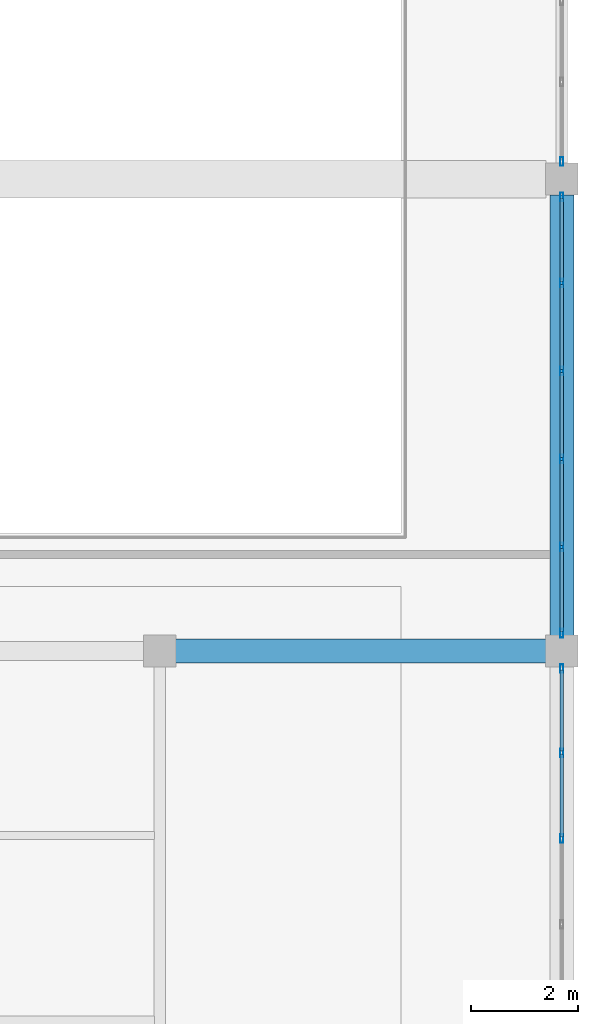
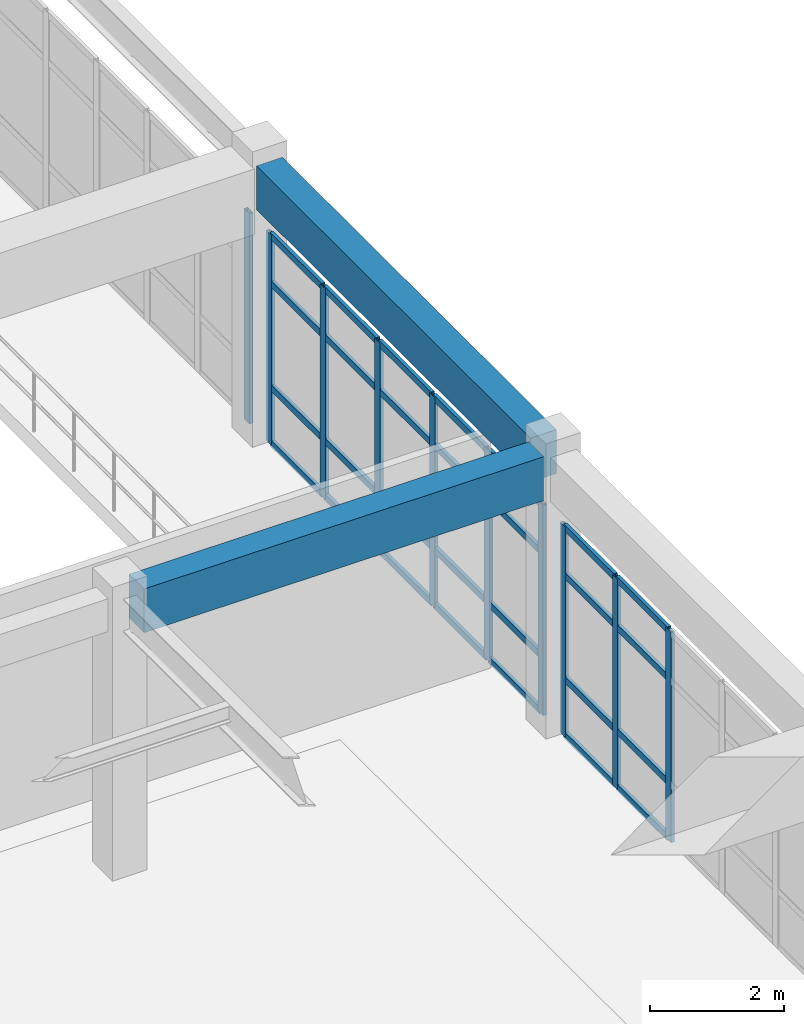
# One storey, part 14 of 38: 38 members, 2 beams, 3 elements without a shape of their own.
"""IFC4 building model written with IfcOpenShell, lengths in metres."""

from ifc_helpers import new_model, si_unit, direction, frame, origin, origin_2d, place, context, subcontext, project, spatial, rectangle, hollow_rectangle, extrude, material, layer, layer_set, material_profile, profile_set, type_object, element, aggregate, save


model = new_model("IFC4")

# Units and contexts
model_context = context("Model", 3, precision=1e-05, world=origin(), true_north=direction((0.0, 1.0)))
body_context = subcontext(model_context, "Body", "Model", "MODEL_VIEW")
ifc_project = project(units=[si_unit("LENGTHUNIT", "METRE"), si_unit("AREAUNIT", "SQUARE_METRE"), si_unit("VOLUMEUNIT", "CUBIC_METRE"), si_unit("PLANEANGLEUNIT", "RADIAN"), si_unit("MASSUNIT", "GRAM", prefix="KILO")], contexts=[model_context])

# Site, building, storey
site_placement = place(None, origin())
site = spatial("IfcSite", under=ifc_project, at=site_placement, CompositionType="ELEMENT")
building_placement = place(site_placement, origin())
building = spatial("IfcBuilding", under=site, at=building_placement, Name="Muzn Square Opera House", CompositionType="ELEMENT")
storey_placement = place(building_placement, frame((0.0, 0.0, 18.0)))
storey = spatial("IfcBuildingStorey", under=building, at=storey_placement, Name="L04", CompositionType="ELEMENT", Elevation=18.0)

# Curtain wall, members
ifc_material_1 = material(Name="Low-E laminated acoustic double glazing", Category="glass")
ifc_layer_1 = layer(ifc_material_1, 0.159912109375, Name="Low-E laminated acoustic double glazing", Category="glass")
ifc_layer_set_1 = layer_set([ifc_layer_1], Name="Low-E laminated acoustic double glazing")
curtain_wall_type_1 = type_object("IfcCurtainWallType", Name="Glazed Curtain Wall RehearsalEast 8000x3850", PredefinedType="USERDEFINED", material=ifc_layer_set_1)
curtain_wall_1_placement = place(storey_placement, origin())
curtain_wall_1 = element("IfcCurtainWall", 1, at=curtain_wall_1_placement, inside=storey, type_object=curtain_wall_type_1, Name="Glazed Curtain Wall CW-L04-131", ObjectType="GLAZED CURTAIN WALL", PredefinedType="USERDEFINED")
ifc_material_2 = material(Name="Anodised bronze aluminium 6063-T6", Category="metal")
ifc_material_profile_1 = material_profile(ifc_material_2, hollow_rectangle(XDim=0.06005859375, YDim=0.159912109375, WallThickness=0.00390625, at=origin_2d()), Name="ALU 160x60x4", Category="metal")
ifc_profile_set_1 = profile_set([ifc_material_profile_1], Name="Anodised bronze aluminium 6063-T6")
member_type_1 = type_object("IfcMemberType", Name="Curtain Wall Mullion 160x60", PredefinedType="MULLION", material=ifc_profile_set_1)
member_1_placement = place(storey_placement, frame((170.0, 86.300048828125, 0.0), z_axis=(0.0, 0.0, 1.0), x_axis=(-1.0, 0.0, 0.0)))
member_1 = element("IfcMember", 2, at=member_1_placement, type_object=member_type_1, Name="CW-RHE-80x38 mullion 4", PredefinedType="MULLION", context=body_context, shape_type="SweptSolid", body=[
    extrude(hollow_rectangle(XDim=0.06005859375, YDim=0.159912109375, WallThickness=0.00390625, at=origin_2d()), origin(), (0.0, 0.0, 1.0), 3.85009765625),
])
member_2_placement = place(storey_placement, frame((170.0, 87.89990234375, 0.0), z_axis=(0.0, 0.0, 1.0), x_axis=(-1.0, 0.0, 0.0)))
member_2 = element("IfcMember", 3, at=member_2_placement, type_object=member_type_1, Name="CW-RHE-80x38 mullion 5", PredefinedType="MULLION", context=body_context, shape_type="SweptSolid", body=[
    extrude(hollow_rectangle(XDim=0.06005859375, YDim=0.159912109375, WallThickness=0.00390625, at=origin_2d()), origin(), (0.0, 0.0, 1.0), 3.85009765625),
])
member_3_placement = place(storey_placement, frame((170.0, 89.469970703125, 0.0), z_axis=(0.0, 0.0, 1.0), x_axis=(-1.0, 0.0, 0.0)))
member_3 = element("IfcMember", 4, at=member_3_placement, type_object=member_type_1, Name="CW-RHE-80x38 mullion 6", PredefinedType="MULLION", context=body_context, shape_type="SweptSolid", body=[
    extrude(hollow_rectangle(XDim=0.06005859375, YDim=0.159912109375, WallThickness=0.00390625, at=origin_2d()), origin(), (0.0, 0.0, 1.0), 3.85009765625),
])

ifc_layer_2 = layer(ifc_material_1, 0.159912109375, Name="Low-E laminated acoustic double glazing", Category="glass")
ifc_layer_set_2 = layer_set([ifc_layer_2], Name="Low-E laminated acoustic double glazing")
curtain_wall_type_2 = type_object("IfcCurtainWallType", Name="Glazed Curtain Wall RehearsalEast 8200x3850", PredefinedType="USERDEFINED", material=ifc_layer_set_2)
curtain_wall_2_placement = place(storey_placement, origin())
curtain_wall_2 = element("IfcCurtainWall", 5, at=curtain_wall_2_placement, inside=storey, type_object=curtain_wall_type_2, Name="Glazed Curtain Wall CW-L04-132", ObjectType="GLAZED CURTAIN WALL", PredefinedType="USERDEFINED")
member_4_placement = place(storey_placement, frame((170.0, 90.1298828125, 0.0), z_axis=(0.0, 0.0, 1.0), x_axis=(-1.0, 0.0, 0.0)))
member_4 = element("IfcMember", 6, at=member_4_placement, type_object=member_type_1, Name="CW-RHE-82x38 mullion 1", PredefinedType="MULLION", context=body_context, shape_type="SweptSolid", body=[
    extrude(hollow_rectangle(XDim=0.06005859375, YDim=0.159912109375, WallThickness=0.00390625, at=origin_2d()), origin(), (0.0, 0.0, 1.0), 3.85009765625),
])
member_5_placement = place(storey_placement, frame((170.0, 91.739990234375, 0.0), z_axis=(0.0, 0.0, 1.0), x_axis=(-1.0, 0.0, 0.0)))
member_5 = element("IfcMember", 7, at=member_5_placement, type_object=member_type_1, Name="CW-RHE-82x38 mullion 2", PredefinedType="MULLION", context=body_context, shape_type="SweptSolid", body=[
    extrude(hollow_rectangle(XDim=0.06005859375, YDim=0.159912109375, WallThickness=0.00390625, at=origin_2d()), origin(), (0.0, 0.0, 1.0), 3.85009765625),
])
member_6_placement = place(storey_placement, frame((170.0, 93.3798828125, 0.0), z_axis=(0.0, 0.0, 1.0), x_axis=(-1.0, 0.0, 0.0)))
member_6 = element("IfcMember", 8, at=member_6_placement, type_object=member_type_1, Name="CW-RHE-82x38 mullion 3", PredefinedType="MULLION", context=body_context, shape_type="SweptSolid", body=[
    extrude(hollow_rectangle(XDim=0.06005859375, YDim=0.159912109375, WallThickness=0.00390625, at=origin_2d()), origin(), (0.0, 0.0, 1.0), 3.85009765625),
])
member_7_placement = place(storey_placement, frame((170.0, 95.02001953125, 0.0), z_axis=(0.0, 0.0, 1.0), x_axis=(-1.0, 0.0, 0.0)))
member_7 = element("IfcMember", 9, at=member_7_placement, type_object=member_type_1, Name="CW-RHE-82x38 mullion 4", PredefinedType="MULLION", context=body_context, shape_type="SweptSolid", body=[
    extrude(hollow_rectangle(XDim=0.06005859375, YDim=0.159912109375, WallThickness=0.00390625, at=origin_2d()), origin(), (0.0, 0.0, 1.0), 3.85009765625),
])
member_8_placement = place(storey_placement, frame((170.0, 96.659912109375, 0.0), z_axis=(0.0, 0.0, 1.0), x_axis=(-1.0, 0.0, 0.0)))
member_8 = element("IfcMember", 10, at=member_8_placement, type_object=member_type_1, Name="CW-RHE-82x38 mullion 5", PredefinedType="MULLION", context=body_context, shape_type="SweptSolid", body=[
    extrude(hollow_rectangle(XDim=0.06005859375, YDim=0.159912109375, WallThickness=0.00390625, at=origin_2d()), origin(), (0.0, 0.0, 1.0), 3.85009765625),
])
member_9_placement = place(storey_placement, frame((170.0, 98.27001953125, 0.0), z_axis=(0.0, 0.0, 1.0), x_axis=(-1.0, 0.0, 0.0)))
member_9 = element("IfcMember", 11, at=member_9_placement, type_object=member_type_1, Name="CW-RHE-82x38 mullion 6", PredefinedType="MULLION", context=body_context, shape_type="SweptSolid", body=[
    extrude(hollow_rectangle(XDim=0.06005859375, YDim=0.159912109375, WallThickness=0.00390625, at=origin_2d()), origin(), (0.0, 0.0, 1.0), 3.85009765625),
])

# Curtain wall, member
ifc_layer_3 = layer(ifc_material_1, 0.159912109375, Name="Low-E laminated acoustic double glazing", Category="glass")
ifc_layer_set_3 = layer_set([ifc_layer_3], Name="Low-E laminated acoustic double glazing")
curtain_wall_type_3 = type_object("IfcCurtainWallType", Name="Glazed Curtain Wall RehearsalEast 12100x3850", PredefinedType="USERDEFINED", material=ifc_layer_set_3)
curtain_wall_3_placement = place(storey_placement, origin())
curtain_wall_3 = element("IfcCurtainWall", 12, at=curtain_wall_3_placement, inside=storey, type_object=curtain_wall_type_3, Name="Glazed Curtain Wall CW-L04-133", ObjectType="GLAZED CURTAIN WALL", PredefinedType="USERDEFINED")
member_10_placement = place(storey_placement, frame((170.0, 98.929931640625, 0.0), z_axis=(0.0, 0.0, 1.0), x_axis=(-1.0, 0.0, 0.0)))
member_10 = element("IfcMember", 13, at=member_10_placement, type_object=member_type_1, Name="CW-RHE-121x38 mullion 1", PredefinedType="MULLION", context=body_context, shape_type="SweptSolid", body=[
    extrude(hollow_rectangle(XDim=0.06005859375, YDim=0.159912109375, WallThickness=0.00390625, at=origin_2d()), origin(), (0.0, 0.0, 1.0), 3.85009765625),
])
aggregate(curtain_wall_3, [member_10])

# Member
ifc_material_profile_2 = material_profile(ifc_material_2, hollow_rectangle(XDim=0.06005859375, YDim=0.1201171875, WallThickness=0.00390625, at=origin_2d()), Name="ALU 120x60x4", Category="metal")
ifc_profile_set_2 = profile_set([ifc_material_profile_2], Name="Anodised bronze aluminium 6063-T6")
member_type_2 = type_object("IfcMemberType", Name="Curtain Wall Transom 120x60", PredefinedType="USERDEFINED", material=ifc_profile_set_2)
member_11_placement = place(storey_placement, frame((170.0, 86.330078125, 0.030029296875), z_axis=(0.0, 1.0, 0.0), x_axis=(-1.0, 0.0, 0.0)))
member_11 = element("IfcMember", 14, at=member_11_placement, type_object=member_type_2, Name="CW-RHE-80x38 transom 4.1", ObjectType="TRANSOM", PredefinedType="USERDEFINED", context=body_context, shape_type="SweptSolid", body=[
    extrude(hollow_rectangle(XDim=0.06005859375, YDim=0.1201171875, WallThickness=0.00390625, at=origin_2d()), origin(), (0.0, 0.0, 1.0), 1.5400390625),
])

member_12_placement = place(storey_placement, frame((170.0, 86.330078125, 1.050048828125), z_axis=(0.0, 1.0, 0.0), x_axis=(-1.0, 0.0, 0.0)))
member_12 = element("IfcMember", 15, at=member_12_placement, type_object=member_type_2, Name="CW-RHE-80x38 transom 4.2", ObjectType="TRANSOM", PredefinedType="USERDEFINED", context=body_context, shape_type="SweptSolid", body=[
    extrude(hollow_rectangle(XDim=0.06005859375, YDim=0.1201171875, WallThickness=0.00390625, at=origin_2d()), origin(), (0.0, 0.0, 1.0), 1.5400390625),
])

member_13_placement = place(storey_placement, frame((170.0, 86.330078125, 2.949951171875), z_axis=(0.0, 1.0, 0.0), x_axis=(-1.0, 0.0, 0.0)))
member_13 = element("IfcMember", 16, at=member_13_placement, type_object=member_type_2, Name="CW-RHE-80x38 transom 4.3", ObjectType="TRANSOM", PredefinedType="USERDEFINED", context=body_context, shape_type="SweptSolid", body=[
    extrude(hollow_rectangle(XDim=0.06005859375, YDim=0.1201171875, WallThickness=0.00390625, at=origin_2d()), origin(), (0.0, 0.0, 1.0), 1.5400390625),
])

member_14_placement = place(storey_placement, frame((170.0, 86.330078125, 3.820068359375), z_axis=(0.0, 1.0, 0.0), x_axis=(-1.0, 0.0, 0.0)))
member_14 = element("IfcMember", 17, at=member_14_placement, type_object=member_type_2, Name="CW-RHE-80x38 transom 4.4", ObjectType="TRANSOM", PredefinedType="USERDEFINED", context=body_context, shape_type="SweptSolid", body=[
    extrude(hollow_rectangle(XDim=0.06005859375, YDim=0.1201171875, WallThickness=0.00390625, at=origin_2d()), origin(), (0.0, 0.0, 1.0), 1.5400390625),
])

member_15_placement = place(storey_placement, frame((170.0, 87.929931640625, 0.030029296875), z_axis=(0.0, 1.0, 0.0), x_axis=(-1.0, 0.0, 0.0)))
member_15 = element("IfcMember", 18, at=member_15_placement, type_object=member_type_2, Name="CW-RHE-80x38 transom 5.1", ObjectType="TRANSOM", PredefinedType="USERDEFINED", context=body_context, shape_type="SweptSolid", body=[
    extrude(hollow_rectangle(XDim=0.06005859375, YDim=0.1201171875, WallThickness=0.00390625, at=origin_2d()), origin(), (0.0, 0.0, 1.0), 1.510009765625),
])

member_16_placement = place(storey_placement, frame((170.0, 87.929931640625, 1.050048828125), z_axis=(0.0, 1.0, 0.0), x_axis=(-1.0, 0.0, 0.0)))
member_16 = element("IfcMember", 19, at=member_16_placement, type_object=member_type_2, Name="CW-RHE-80x38 transom 5.2", ObjectType="TRANSOM", PredefinedType="USERDEFINED", context=body_context, shape_type="SweptSolid", body=[
    extrude(hollow_rectangle(XDim=0.06005859375, YDim=0.1201171875, WallThickness=0.00390625, at=origin_2d()), origin(), (0.0, 0.0, 1.0), 1.510009765625),
])

member_17_placement = place(storey_placement, frame((170.0, 87.929931640625, 2.949951171875), z_axis=(0.0, 1.0, 0.0), x_axis=(-1.0, 0.0, 0.0)))
member_17 = element("IfcMember", 20, at=member_17_placement, type_object=member_type_2, Name="CW-RHE-80x38 transom 5.3", ObjectType="TRANSOM", PredefinedType="USERDEFINED", context=body_context, shape_type="SweptSolid", body=[
    extrude(hollow_rectangle(XDim=0.06005859375, YDim=0.1201171875, WallThickness=0.00390625, at=origin_2d()), origin(), (0.0, 0.0, 1.0), 1.510009765625),
])

member_18_placement = place(storey_placement, frame((170.0, 87.929931640625, 3.820068359375), z_axis=(0.0, 1.0, 0.0), x_axis=(-1.0, 0.0, 0.0)))
member_18 = element("IfcMember", 21, at=member_18_placement, type_object=member_type_2, Name="CW-RHE-80x38 transom 5.4", ObjectType="TRANSOM", PredefinedType="USERDEFINED", context=body_context, shape_type="SweptSolid", body=[
    extrude(hollow_rectangle(XDim=0.06005859375, YDim=0.1201171875, WallThickness=0.00390625, at=origin_2d()), origin(), (0.0, 0.0, 1.0), 1.510009765625),
])

aggregate(curtain_wall_1, [member_1, member_2, member_3, member_11, member_12, member_13, member_14, member_15, member_16, member_17, member_18])

member_19_placement = place(storey_placement, frame((170.0, 90.159912109375, 0.030029296875), z_axis=(0.0, 1.0, 0.0), x_axis=(-1.0, 0.0, 0.0)))
member_19 = element("IfcMember", 22, at=member_19_placement, type_object=member_type_2, Name="CW-RHE-82x38 transom 1.1", ObjectType="TRANSOM", PredefinedType="USERDEFINED", context=body_context, shape_type="SweptSolid", body=[
    extrude(hollow_rectangle(XDim=0.06005859375, YDim=0.1201171875, WallThickness=0.00390625, at=origin_2d()), origin(), (0.0, 0.0, 1.0), 1.550048828125),
])

member_20_placement = place(storey_placement, frame((170.0, 90.159912109375, 1.050048828125), z_axis=(0.0, 1.0, 0.0), x_axis=(-1.0, 0.0, 0.0)))
member_20 = element("IfcMember", 23, at=member_20_placement, type_object=member_type_2, Name="CW-RHE-82x38 transom 1.2", ObjectType="TRANSOM", PredefinedType="USERDEFINED", context=body_context, shape_type="SweptSolid", body=[
    extrude(hollow_rectangle(XDim=0.06005859375, YDim=0.1201171875, WallThickness=0.00390625, at=origin_2d()), origin(), (0.0, 0.0, 1.0), 1.550048828125),
])

member_21_placement = place(storey_placement, frame((170.0, 90.159912109375, 2.949951171875), z_axis=(0.0, 1.0, 0.0), x_axis=(-1.0, 0.0, 0.0)))
member_21 = element("IfcMember", 24, at=member_21_placement, type_object=member_type_2, Name="CW-RHE-82x38 transom 1.3", ObjectType="TRANSOM", PredefinedType="USERDEFINED", context=body_context, shape_type="SweptSolid", body=[
    extrude(hollow_rectangle(XDim=0.06005859375, YDim=0.1201171875, WallThickness=0.00390625, at=origin_2d()), origin(), (0.0, 0.0, 1.0), 1.550048828125),
])

member_22_placement = place(storey_placement, frame((170.0, 90.159912109375, 3.820068359375), z_axis=(0.0, 1.0, 0.0), x_axis=(-1.0, 0.0, 0.0)))
member_22 = element("IfcMember", 25, at=member_22_placement, type_object=member_type_2, Name="CW-RHE-82x38 transom 1.4", ObjectType="TRANSOM", PredefinedType="USERDEFINED", context=body_context, shape_type="SweptSolid", body=[
    extrude(hollow_rectangle(XDim=0.06005859375, YDim=0.1201171875, WallThickness=0.00390625, at=origin_2d()), origin(), (0.0, 0.0, 1.0), 1.550048828125),
])

member_23_placement = place(storey_placement, frame((170.0, 91.77001953125, 0.030029296875), z_axis=(0.0, 1.0, 0.0), x_axis=(-1.0, 0.0, 0.0)))
member_23 = element("IfcMember", 26, at=member_23_placement, type_object=member_type_2, Name="CW-RHE-82x38 transom 2.1", ObjectType="TRANSOM", PredefinedType="USERDEFINED", context=body_context, shape_type="SweptSolid", body=[
    extrude(hollow_rectangle(XDim=0.06005859375, YDim=0.1201171875, WallThickness=0.00390625, at=origin_2d()), origin(), (0.0, 0.0, 1.0), 1.580078125),
])

member_24_placement = place(storey_placement, frame((170.0, 91.77001953125, 1.050048828125), z_axis=(0.0, 1.0, 0.0), x_axis=(-1.0, 0.0, 0.0)))
member_24 = element("IfcMember", 27, at=member_24_placement, type_object=member_type_2, Name="CW-RHE-82x38 transom 2.2", ObjectType="TRANSOM", PredefinedType="USERDEFINED", context=body_context, shape_type="SweptSolid", body=[
    extrude(hollow_rectangle(XDim=0.06005859375, YDim=0.1201171875, WallThickness=0.00390625, at=origin_2d()), origin(), (0.0, 0.0, 1.0), 1.580078125),
])

member_25_placement = place(storey_placement, frame((170.0, 91.77001953125, 2.949951171875), z_axis=(0.0, 1.0, 0.0), x_axis=(-1.0, 0.0, 0.0)))
member_25 = element("IfcMember", 28, at=member_25_placement, type_object=member_type_2, Name="CW-RHE-82x38 transom 2.3", ObjectType="TRANSOM", PredefinedType="USERDEFINED", context=body_context, shape_type="SweptSolid", body=[
    extrude(hollow_rectangle(XDim=0.06005859375, YDim=0.1201171875, WallThickness=0.00390625, at=origin_2d()), origin(), (0.0, 0.0, 1.0), 1.580078125),
])

member_26_placement = place(storey_placement, frame((170.0, 91.77001953125, 3.820068359375), z_axis=(0.0, 1.0, 0.0), x_axis=(-1.0, 0.0, 0.0)))
member_26 = element("IfcMember", 29, at=member_26_placement, type_object=member_type_2, Name="CW-RHE-82x38 transom 2.4", ObjectType="TRANSOM", PredefinedType="USERDEFINED", context=body_context, shape_type="SweptSolid", body=[
    extrude(hollow_rectangle(XDim=0.06005859375, YDim=0.1201171875, WallThickness=0.00390625, at=origin_2d()), origin(), (0.0, 0.0, 1.0), 1.580078125),
])

member_27_placement = place(storey_placement, frame((170.0, 93.409912109375, 0.030029296875), z_axis=(0.0, 1.0, 0.0), x_axis=(-1.0, 0.0, 0.0)))
member_27 = element("IfcMember", 30, at=member_27_placement, type_object=member_type_2, Name="CW-RHE-82x38 transom 3.1", ObjectType="TRANSOM", PredefinedType="USERDEFINED", context=body_context, shape_type="SweptSolid", body=[
    extrude(hollow_rectangle(XDim=0.06005859375, YDim=0.1201171875, WallThickness=0.00390625, at=origin_2d()), origin(), (0.0, 0.0, 1.0), 1.580078125),
])

member_28_placement = place(storey_placement, frame((170.0, 93.409912109375, 1.050048828125), z_axis=(0.0, 1.0, 0.0), x_axis=(-1.0, 0.0, 0.0)))
member_28 = element("IfcMember", 31, at=member_28_placement, type_object=member_type_2, Name="CW-RHE-82x38 transom 3.2", ObjectType="TRANSOM", PredefinedType="USERDEFINED", context=body_context, shape_type="SweptSolid", body=[
    extrude(hollow_rectangle(XDim=0.06005859375, YDim=0.1201171875, WallThickness=0.00390625, at=origin_2d()), origin(), (0.0, 0.0, 1.0), 1.580078125),
])

member_29_placement = place(storey_placement, frame((170.0, 93.409912109375, 2.949951171875), z_axis=(0.0, 1.0, 0.0), x_axis=(-1.0, 0.0, 0.0)))
member_29 = element("IfcMember", 32, at=member_29_placement, type_object=member_type_2, Name="CW-RHE-82x38 transom 3.3", ObjectType="TRANSOM", PredefinedType="USERDEFINED", context=body_context, shape_type="SweptSolid", body=[
    extrude(hollow_rectangle(XDim=0.06005859375, YDim=0.1201171875, WallThickness=0.00390625, at=origin_2d()), origin(), (0.0, 0.0, 1.0), 1.580078125),
])

member_30_placement = place(storey_placement, frame((170.0, 93.409912109375, 3.820068359375), z_axis=(0.0, 1.0, 0.0), x_axis=(-1.0, 0.0, 0.0)))
member_30 = element("IfcMember", 33, at=member_30_placement, type_object=member_type_2, Name="CW-RHE-82x38 transom 3.4", ObjectType="TRANSOM", PredefinedType="USERDEFINED", context=body_context, shape_type="SweptSolid", body=[
    extrude(hollow_rectangle(XDim=0.06005859375, YDim=0.1201171875, WallThickness=0.00390625, at=origin_2d()), origin(), (0.0, 0.0, 1.0), 1.580078125),
])

member_31_placement = place(storey_placement, frame((170.0, 95.050048828125, 0.030029296875), z_axis=(0.0, 1.0, 0.0), x_axis=(-1.0, 0.0, 0.0)))
member_31 = element("IfcMember", 34, at=member_31_placement, type_object=member_type_2, Name="CW-RHE-82x38 transom 4.1", ObjectType="TRANSOM", PredefinedType="USERDEFINED", context=body_context, shape_type="SweptSolid", body=[
    extrude(hollow_rectangle(XDim=0.06005859375, YDim=0.1201171875, WallThickness=0.00390625, at=origin_2d()), origin(), (0.0, 0.0, 1.0), 1.579833984375),
])

member_32_placement = place(storey_placement, frame((170.0, 95.050048828125, 1.050048828125), z_axis=(0.0, 1.0, 0.0), x_axis=(-1.0, 0.0, 0.0)))
member_32 = element("IfcMember", 35, at=member_32_placement, type_object=member_type_2, Name="CW-RHE-82x38 transom 4.2", ObjectType="TRANSOM", PredefinedType="USERDEFINED", context=body_context, shape_type="SweptSolid", body=[
    extrude(hollow_rectangle(XDim=0.06005859375, YDim=0.1201171875, WallThickness=0.00390625, at=origin_2d()), origin(), (0.0, 0.0, 1.0), 1.579833984375),
])

member_33_placement = place(storey_placement, frame((170.0, 95.050048828125, 2.949951171875), z_axis=(0.0, 1.0, 0.0), x_axis=(-1.0, 0.0, 0.0)))
member_33 = element("IfcMember", 36, at=member_33_placement, type_object=member_type_2, Name="CW-RHE-82x38 transom 4.3", ObjectType="TRANSOM", PredefinedType="USERDEFINED", context=body_context, shape_type="SweptSolid", body=[
    extrude(hollow_rectangle(XDim=0.06005859375, YDim=0.1201171875, WallThickness=0.00390625, at=origin_2d()), origin(), (0.0, 0.0, 1.0), 1.579833984375),
])

member_34_placement = place(storey_placement, frame((170.0, 95.050048828125, 3.820068359375), z_axis=(0.0, 1.0, 0.0), x_axis=(-1.0, 0.0, 0.0)))
member_34 = element("IfcMember", 37, at=member_34_placement, type_object=member_type_2, Name="CW-RHE-82x38 transom 4.4", ObjectType="TRANSOM", PredefinedType="USERDEFINED", context=body_context, shape_type="SweptSolid", body=[
    extrude(hollow_rectangle(XDim=0.06005859375, YDim=0.1201171875, WallThickness=0.00390625, at=origin_2d()), origin(), (0.0, 0.0, 1.0), 1.579833984375),
])

member_35_placement = place(storey_placement, frame((170.0, 96.68994140625, 0.030029296875), z_axis=(0.0, 1.0, 0.0), x_axis=(-1.0, 0.0, 0.0)))
member_35 = element("IfcMember", 38, at=member_35_placement, type_object=member_type_2, Name="CW-RHE-82x38 transom 5.1", ObjectType="TRANSOM", PredefinedType="USERDEFINED", context=body_context, shape_type="SweptSolid", body=[
    extrude(hollow_rectangle(XDim=0.06005859375, YDim=0.1201171875, WallThickness=0.00390625, at=origin_2d()), origin(), (0.0, 0.0, 1.0), 1.550048828125),
])

member_36_placement = place(storey_placement, frame((170.0, 96.68994140625, 1.050048828125), z_axis=(0.0, 1.0, 0.0), x_axis=(-1.0, 0.0, 0.0)))
member_36 = element("IfcMember", 39, at=member_36_placement, type_object=member_type_2, Name="CW-RHE-82x38 transom 5.2", ObjectType="TRANSOM", PredefinedType="USERDEFINED", context=body_context, shape_type="SweptSolid", body=[
    extrude(hollow_rectangle(XDim=0.06005859375, YDim=0.1201171875, WallThickness=0.00390625, at=origin_2d()), origin(), (0.0, 0.0, 1.0), 1.550048828125),
])

member_37_placement = place(storey_placement, frame((170.0, 96.68994140625, 2.949951171875), z_axis=(0.0, 1.0, 0.0), x_axis=(-1.0, 0.0, 0.0)))
member_37 = element("IfcMember", 40, at=member_37_placement, type_object=member_type_2, Name="CW-RHE-82x38 transom 5.3", ObjectType="TRANSOM", PredefinedType="USERDEFINED", context=body_context, shape_type="SweptSolid", body=[
    extrude(hollow_rectangle(XDim=0.06005859375, YDim=0.1201171875, WallThickness=0.00390625, at=origin_2d()), origin(), (0.0, 0.0, 1.0), 1.550048828125),
])

member_38_placement = place(storey_placement, frame((170.0, 96.68994140625, 3.820068359375), z_axis=(0.0, 1.0, 0.0), x_axis=(-1.0, 0.0, 0.0)))
member_38 = element("IfcMember", 41, at=member_38_placement, type_object=member_type_2, Name="CW-RHE-82x38 transom 5.4", ObjectType="TRANSOM", PredefinedType="USERDEFINED", context=body_context, shape_type="SweptSolid", body=[
    extrude(hollow_rectangle(XDim=0.06005859375, YDim=0.1201171875, WallThickness=0.00390625, at=origin_2d()), origin(), (0.0, 0.0, 1.0), 1.550048828125),
])

aggregate(curtain_wall_2, [member_4, member_5, member_6, member_7, member_8, member_9, member_19, member_20, member_21, member_22, member_23, member_24, member_25, member_26, member_27, member_28, member_29, member_30, member_31, member_32, member_33, member_34, member_35, member_36, member_37, member_38])

# Beams
ifc_material_3 = material(Name="Concrete C40/50", Category="concrete")
ifc_material_profile_3 = material_profile(ifc_material_3, rectangle(XDim=0.449951171875, YDim=0.800048828125, at=origin_2d()), Name="RCB 450x800", Category="concrete")
ifc_profile_set_3 = profile_set([ifc_material_profile_3], Name="Concrete C40/50")
beam_type = type_object("IfcBeamType", Name="Primary Girder 450x800", PredefinedType="BEAM", material=ifc_profile_set_3)
beam_1_placement = place(storey_placement, frame((162.7919921875, 89.800048828125, 4.719970703125), z_axis=(1.0, 0.0, 0.0), x_axis=(0.0, 1.0, 0.0)))
element("IfcBeam", 42, at=beam_1_placement, inside=storey, type_object=beam_type, Name="Primary Girder BM-L04-BM-PG800-1628_898_1697_898-2686", PredefinedType="BEAM", context=body_context, shape_type="SweptSolid", body=[
    extrude(rectangle(XDim=0.449951171875, YDim=0.800048828125, at=origin_2d()), origin(), (0.0, 0.0, 1.0), 6.916015625),
])
beam_2_placement = place(storey_placement, frame((170.0, 90.092041015625, 4.719970703125), z_axis=(0.0, 1.0, 0.0), x_axis=(-1.0, 0.0, 0.0)))
element("IfcBeam", 43, at=beam_2_placement, inside=storey, type_object=beam_type, Name="Primary Girder BM-L04-BM-PG800-1700_901_1700_983-2723", PredefinedType="BEAM", context=body_context, shape_type="SweptSolid", body=[
    extrude(rectangle(XDim=0.449951171875, YDim=0.800048828125, at=origin_2d()), origin(), (0.0, 0.0, 1.0), 8.216064453125),
])

save(model, "model.ifc")
